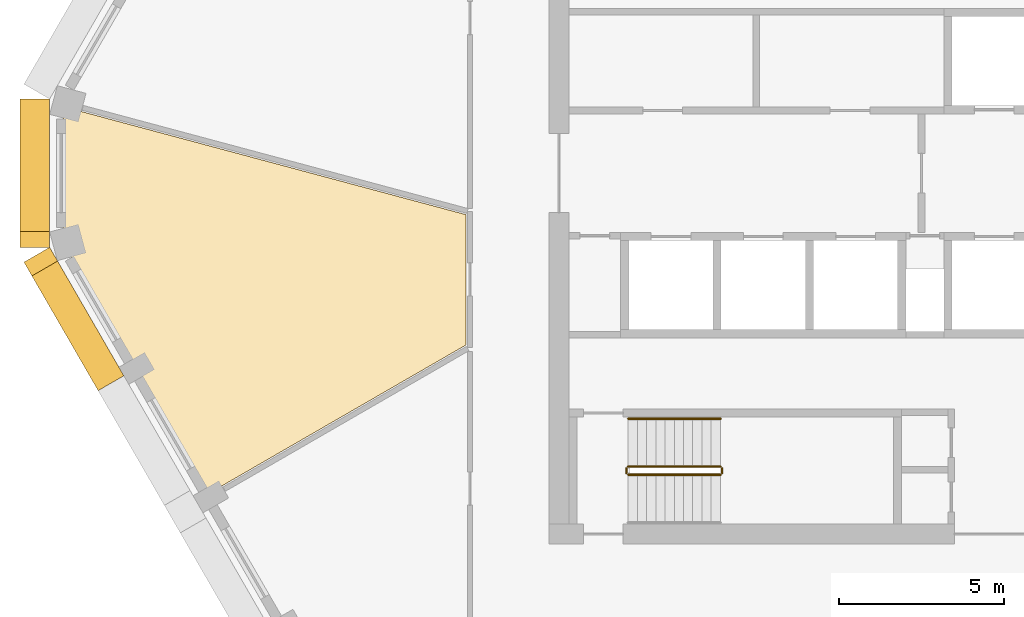
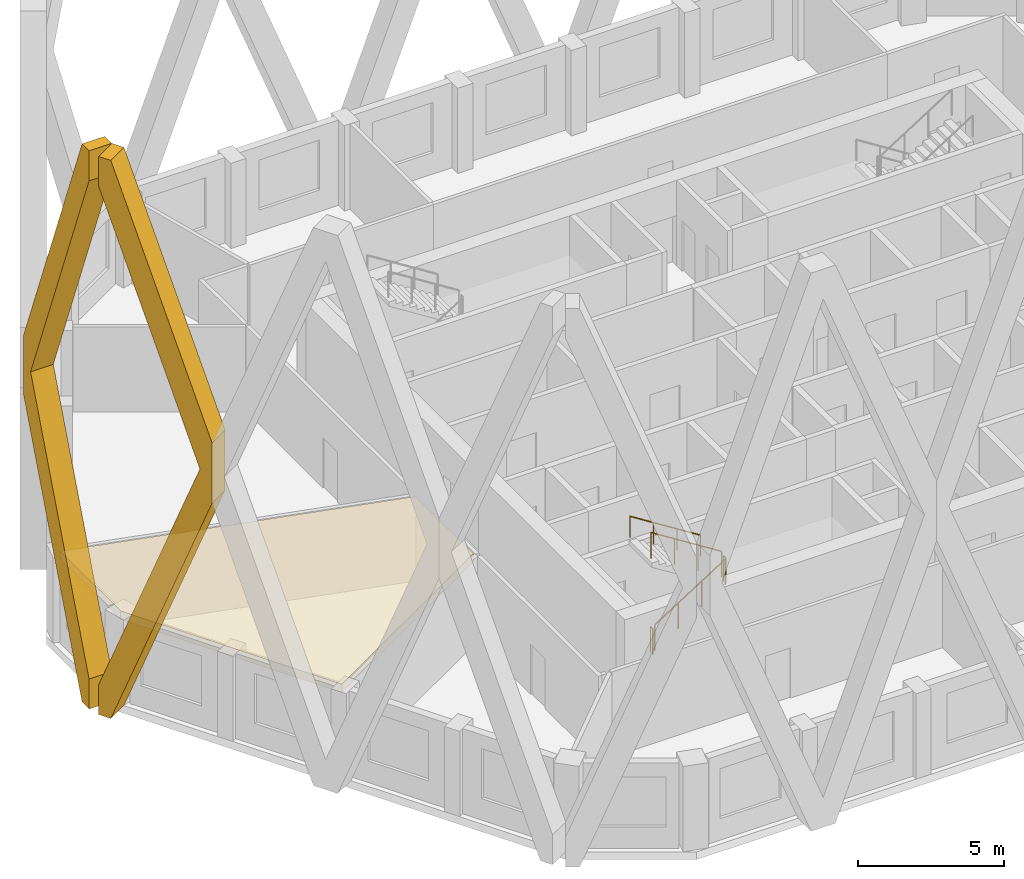
# One storey, part 9 of 14: 5 railings, 3 coverings.
"""IFC4 building model written with IfcOpenShell, lengths in metres."""

import ifcopenshell
import ifcopenshell.guid

model = None  # the IFC model being written
_history = None  # IfcOwnerHistory: only IFC2X3 demands one
_inside = {}  # id of a spatial element -> (the spatial element, [elements in it])
_under = {}  # id of a project, library or spatial element -> (it, [spatial elements below it])
_declared = {}  # id of a project -> (the project, [libraries it declares])
_typed = {}  # id of a type object -> (the type object, [elements of that type])
_made_of = {}  # id of a material, layer set ... -> (it, [elements and type objects made of it])


def new_model(schema):
    """Start an empty IFC model of exactly this schema.

    Asked for "IFC4X3", IfcOpenShell would pick the latest addendum, in which some entities
    have other attributes; the version numbers below select the first issue.
    IFC2X3 requires an IfcOwnerHistory on every rooted entity: one is made here for all.
    """
    global model, _history
    if schema == "IFC4X3":
        model = ifcopenshell.file(schema_version=(4, 3, 0, 0))
    else:
        model = ifcopenshell.file(schema=schema)
    _inside.clear()
    _under.clear()
    _declared.clear()
    _typed.clear()
    _made_of.clear()
    _history = None
    if model.schema == "IFC2X3":
        org = make("IfcOrganization", Name="unknown")
        user = make(
            "IfcPersonAndOrganization",
            ThePerson=make("IfcPerson", FamilyName="unknown"),
            TheOrganization=org,
        )
        app = make(
            "IfcApplication",
            ApplicationDeveloper=org,
            Version="unknown",
            ApplicationFullName="unknown",
            ApplicationIdentifier="unknown",
        )
        _history = make(
            "IfcOwnerHistory",
            OwningUser=user,
            OwningApplication=app,
            ChangeAction="ADDED",
            CreationDate=0,
        )
    return model


def make(cls, **values):
    """One entity of the class cls with the attributes given. An attribute that is None is left unset."""
    return model.create_entity(
        cls, **{name: value for name, value in values.items() if value is not None}
    )


def rooted(cls, **values):
    """An entity with a GlobalId (a new one), such as an element, a storey or a relation."""
    return make(cls, GlobalId=ifcopenshell.guid.new(), OwnerHistory=_history, **values)


def si_unit(unit_type, name, prefix=None):
    """IfcSIUnit, for example si_unit("LENGTHUNIT", "METRE", prefix="MILLI")."""
    return make("IfcSIUnit", UnitType=unit_type, Prefix=prefix, Name=name)


def assignment(units):
    """IfcUnitAssignment: the units of a project."""
    return None if units is None else make("IfcUnitAssignment", Units=units)


def point(xyz):
    """IfcCartesianPoint."""
    return None if xyz is None else make("IfcCartesianPoint", Coordinates=xyz)


def direction(xyz):
    """IfcDirection."""
    return None if xyz is None else make("IfcDirection", DirectionRatios=xyz)


def frame(location, z_axis=None, x_axis=None):
    """IfcAxis2Placement3D, a coordinate frame: its origin and axes. An axis left out is left unset."""
    return make(
        "IfcAxis2Placement3D",
        Location=point(location),
        Axis=direction(z_axis),
        RefDirection=direction(x_axis),
    )


def frame_2d(location, x_axis=None):
    """IfcAxis2Placement2D, a coordinate frame in the plane: its origin and x axis."""
    return make(
        "IfcAxis2Placement2D", Location=point(location), RefDirection=direction(x_axis)
    )


def origin():
    """The frame at (0, 0, 0) with its axes left unset."""
    return frame((0.0, 0.0, 0.0))


def origin_2d():
    """The frame at (0, 0) in the plane with its x axis left unset."""
    return frame_2d((0.0, 0.0))


def place(relative_to, where):
    """IfcLocalPlacement: puts the frame where relative to a parent placement (None: the world)."""
    return make(
        "IfcLocalPlacement", PlacementRelTo=relative_to, RelativePlacement=where
    )


def context(
    kind, dimensions, precision=None, world=None, true_north=None, identifier=None
):
    """IfcGeometricRepresentationContext, for example the 3D "Model" context."""
    return make(
        "IfcGeometricRepresentationContext",
        ContextIdentifier=identifier,
        ContextType=kind,
        CoordinateSpaceDimension=dimensions,
        Precision=precision,
        WorldCoordinateSystem=world,
        TrueNorth=true_north,
    )


def subcontext(parent, identifier, kind, view, scale=None):
    """IfcGeometricRepresentationSubContext, for example "Body" below "Model"."""
    return make(
        "IfcGeometricRepresentationSubContext",
        ContextIdentifier=identifier,
        ContextType=kind,
        ParentContext=parent,
        TargetScale=scale,
        TargetView=view,
    )


def project(units=None, contexts=None):
    """IfcProject with its units and contexts."""
    return rooted(
        "IfcProject",
        Name="project",
        RepresentationContexts=contexts,
        UnitsInContext=assignment(units),
    )


def spatial(cls, under=None, at=None, **own):
    """A site, building, storey or space (cls), placed at a placement, below another one or the project."""
    s = rooted(cls, ObjectPlacement=at, **own)
    if under is not None:
        _under.setdefault(under.id(), (under, []))[1].append(s)
    return s


def polyline(points):
    """IfcPolyline through the points."""
    return make("IfcPolyline", Points=[point(p) for p in points])


def profile(cls, at=None, kind="AREA", **sizes):
    """A parametric profile (cls). Its sizes go by their IFC names, for example OverallWidth=200.0."""
    return make(cls, ProfileType=kind, Position=at, **sizes)


def circle(**sizes):
    """IfcCircleProfileDef."""
    return profile("IfcCircleProfileDef", **sizes)


def outline(outer, holes=None, kind="AREA"):
    """IfcArbitraryClosedProfileDef: a profile drawn as a closed curve; with holes, ...WithVoids."""
    if holes is None:
        return make("IfcArbitraryClosedProfileDef", ProfileType=kind, OuterCurve=outer)
    return make(
        "IfcArbitraryProfileDefWithVoids",
        ProfileType=kind,
        OuterCurve=outer,
        InnerCurves=holes,
    )


def extrude(swept, where, along, depth):
    """IfcExtrudedAreaSolid: the profile swept, set in the frame where, extruded along a direction by depth."""
    return make(
        "IfcExtrudedAreaSolid",
        SweptArea=swept,
        Position=where,
        ExtrudedDirection=direction(along),
        Depth=depth,
    )


def shape(context_of_items, identifier, shape_type, items):
    """IfcShapeRepresentation: the items that make up one representation, for example the "Body"."""
    return make(
        "IfcShapeRepresentation",
        ContextOfItems=context_of_items,
        RepresentationIdentifier=identifier,
        RepresentationType=shape_type,
        Items=items,
    )


def material(Name=None, Category=None):
    """IfcMaterial."""
    return make("IfcMaterial", Name=Name, Category=Category)


def layer(
    of_material, thickness, ventilated=None, Name=None, Category=None, Priority=None
):
    """IfcMaterialLayer: one layer of a wall or slab, of a material (None: an air gap)."""
    return make(
        "IfcMaterialLayer",
        Material=of_material,
        LayerThickness=thickness,
        IsVentilated=ventilated,
        Name=Name,
        Category=Category,
        Priority=Priority,
    )


def layer_set(layers, Name=None):
    """IfcMaterialLayerSet."""
    return make("IfcMaterialLayerSet", MaterialLayers=layers, LayerSetName=Name)


def made_of(thing, what):
    """Note that an element or type object is made of a material, layer set ...; save() writes the relation."""
    if what is not None:
        _made_of.setdefault(what.id(), (what, []))[1].append(thing)
    return thing


def type_object(cls, material=None, **own):
    """A type object (cls), such as IfcWallType, which elements share."""
    return made_of(rooted(cls, **own), material)


def element(
    cls,
    number,
    at=None,
    inside=None,
    cuts=None,
    type_object=None,
    material=None,
    context=None,
    identifier="Body",
    shape_type=None,
    held_by="IfcProductDefinitionShape",
    body=None,
    shapes=None,
    **own,
):
    """One element of the class cls, such as IfcWall. Its Tag is "e" and its number.

    at: its placement. inside: the storey or other place that contains it. cuts: it is an
    opening in that element (IfcRelVoidsElement). A single representation is given by context,
    identifier, shape_type and body (its items); several are given by shapes. held_by: the class
    of the entity that holds the representations. save() writes the other relations.
    """
    e = rooted(cls, Tag="e%d" % number, ObjectPlacement=at, **own)
    if body is not None:
        shapes = [shape(context, identifier, shape_type, body)]
    if shapes is not None:
        e.Representation = make(held_by, Representations=shapes)
    if inside is not None:
        _inside.setdefault(inside.id(), (inside, []))[1].append(e)
    if cuts is not None:
        rooted(
            "IfcRelVoidsElement", RelatingBuildingElement=cuts, RelatedOpeningElement=e
        )
    if type_object is not None:
        _typed.setdefault(type_object.id(), (type_object, []))[1].append(e)
    return made_of(e, material)


def aggregate(whole, parts):
    """IfcRelAggregates: a whole, such as a stair, and the parts it consists of."""
    return rooted("IfcRelAggregates", RelatingObject=whole, RelatedObjects=parts)


def save(model, path):
    """Write the relations noted so far, then the file.

    IfcRelAggregates (storeys below a building ...), IfcRelContainedInSpatialStructure (elements
    in a storey), IfcRelDefinesByType, IfcRelAssociatesMaterial and IfcRelDeclares: one each for
    every whole, place, type object, material and project.
    """
    for whole, parts in _under.values():
        aggregate(whole, parts)
    for where, things in _inside.values():
        rooted(
            "IfcRelContainedInSpatialStructure",
            RelatedElements=things,
            RelatingStructure=where,
        )
    for kind, things in _typed.values():
        rooted("IfcRelDefinesByType", RelatedObjects=things, RelatingType=kind)
    for what, things in _made_of.values():
        rooted("IfcRelAssociatesMaterial", RelatedObjects=things, RelatingMaterial=what)
    for by, libraries in _declared.values():
        rooted("IfcRelDeclares", RelatingContext=by, RelatedDefinitions=libraries)
    model.write(path)


model = new_model("IFC4")

# Units and contexts
model_context = context("Model", 3, precision=1e-05, world=origin(), true_north=direction((0.0, 1.0)))
body_context = subcontext(model_context, "Body", "Model", "MODEL_VIEW")
ifc_project = project(units=[si_unit("LENGTHUNIT", "METRE"), si_unit("AREAUNIT", "SQUARE_METRE"), si_unit("VOLUMEUNIT", "CUBIC_METRE"), si_unit("PLANEANGLEUNIT", "RADIAN"), si_unit("MASSUNIT", "GRAM", prefix="KILO")], contexts=[model_context])

# Site, building, storey
site_placement = place(None, origin())
site = spatial("IfcSite", under=ifc_project, at=site_placement, CompositionType="ELEMENT")
building_placement = place(site_placement, origin())
building = spatial("IfcBuilding", under=site, at=building_placement, Name="Dhurran Vertical Campus", CompositionType="ELEMENT")
storey_placement = place(building_placement, frame((0.0, 0.0, 286.5)))
storey = spatial("IfcBuildingStorey", under=building, at=storey_placement, Name="L71", CompositionType="ELEMENT", Elevation=286.5)

# Coverings
ifc_material_1 = material(Name="Precast concrete C50/60", Category="concrete")
covering_type_1 = type_object("IfcCoveringType", Name="Folded precast fin lattice diamond", PredefinedType="USERDEFINED", material=ifc_material_1)
covering_1_placement = place(storey_placement, frame((-28.647216796875, 2.25, 0.0), z_axis=(-1.0, 0.0, 0.0), x_axis=(0.0, -1.0, 0.0)))
element("IfcCovering", 1, at=covering_1_placement, inside=storey, type_object=covering_type_1, Name="FN1 L71.020", ObjectType="FIN", PredefinedType="USERDEFINED", context=body_context, shape_type="SweptSolid", body=[
    extrude(outline(polyline([(4.017822265625, 0.0), (0.0, 10.4462890625), (0.0, 12.95361328125), (4.017822265625, 23.39990234375), (4.5, 23.39990234375), (4.5, 22.146484375), (0.482177734375, 11.699951171875), (4.5, 1.253662109375), (4.5, 0.0), (4.017822265625, 0.0)])), origin(), (0.0, 0.0, 1.0), 0.89990234375),
])
covering_2_placement = place(storey_placement, frame((-28.647216796875, -2.25, 0.0), z_axis=(-0.866013897511, -0.50001992892, 0.0), x_axis=(0.50001992892, -0.866013897511, 0.0)))
element("IfcCovering", 2, at=covering_2_placement, inside=storey, type_object=covering_type_1, Name="FN1 L71.021", ObjectType="FIN", PredefinedType="USERDEFINED", context=body_context, shape_type="SweptSolid", body=[
    extrude(outline(polyline([(4.5, 10.4462890625), (0.482177734375, 0.0), (0.0, 0.0), (0.0, 1.253662109375), (4.017822265625, 11.699951171875), (0.0, 22.146484375), (0.0, 23.39990234375), (0.482177734375, 23.39990234375), (4.5, 12.95361328125), (4.5, 10.4462890625)])), origin(), (0.0, 0.0, 1.0), 0.89990234375),
])

# Railings
ifc_material_2 = material(Name="Stainless steel balustrade", Category="steel")
railing_type_1 = type_object("IfcRailingType", Name="co-RL-GUARD-1100", PredefinedType="GUARDRAIL", material=ifc_material_2)
railing_1_placement = place(storey_placement, frame((-11.10009765625, -9.14990234375, 0.17724609375)))
element("IfcRailing", 3, at=railing_1_placement, inside=storey, type_object=railing_type_1, Name="L71 ST3 stair guard 1", PredefinedType="GUARDRAIL", context=body_context, shape_type="SweptSolid", body=[
    extrude(circle(Radius=0.02392578125, at=origin_2d()), frame((0.0, 0.0, 1.076171875), z_axis=(0.844908973607, 0.0, 0.534910110503), x_axis=(0.0, 1.0, 0.0)), (0.0, 0.0, 1.0), 3.31396484375),
    extrude(circle(Radius=0.02099609375, at=origin_2d()), origin(), (0.0, 0.0, 1.0), 1.052001953125),
    extrude(circle(Radius=0.02099609375, at=origin_2d()), frame((0.933349609375, 0.0, 0.5908203125)), (0.0, 0.0, 1.0), 1.052001953125),
    extrude(circle(Radius=0.02099609375, at=origin_2d()), frame((1.86669921875, 0.0, 1.181884765625)), (0.0, 0.0, 1.0), 1.052001953125),
    extrude(circle(Radius=0.02099609375, at=origin_2d()), frame((2.800048828125, 0.0, 1.772705078125)), (0.0, 0.0, 1.0), 1.052001953125),
])
railing_2_placement = place(storey_placement, frame((-8.25, -9.10009765625, 1.949951171875)))
element("IfcRailing", 4, at=railing_2_placement, inside=storey, type_object=railing_type_1, Name="L71 ST3 stair guard 2", PredefinedType="GUARDRAIL", context=body_context, shape_type="SweptSolid", body=[
    extrude(circle(Radius=0.02392578125, at=origin_2d()), frame((0.0, 0.0, 1.076171875), z_axis=(0.0, 1.0, 0.0), x_axis=(-1.0, 0.0, 0.0)), (0.0, 0.0, 1.0), 0.150146484375),
    extrude(circle(Radius=0.02099609375, at=origin_2d()), origin(), (0.0, 0.0, 1.0), 1.052001953125),
    extrude(circle(Radius=0.02099609375, at=origin_2d()), frame((0.0, 0.150146484375, 0.0)), (0.0, 0.0, 1.0), 1.052001953125),
])
railing_3_placement = place(storey_placement, frame((-8.300048828125, -8.89990234375, 2.127197265625)))
element("IfcRailing", 5, at=railing_3_placement, inside=storey, type_object=railing_type_1, Name="L71 ST3 stair guard 3", PredefinedType="GUARDRAIL", context=body_context, shape_type="SweptSolid", body=[
    extrude(circle(Radius=0.02392578125, at=origin_2d()), frame((0.0, 0.0, 1.076171875), z_axis=(-0.844908973607, 0.0, 0.534910110503), x_axis=(0.0, -1.0, 0.0)), (0.0, 0.0, 1.0), 3.31396484375),
    extrude(circle(Radius=0.02099609375, at=origin_2d()), origin(), (0.0, 0.0, 1.0), 1.052001953125),
    extrude(circle(Radius=0.02099609375, at=origin_2d()), frame((-0.933349609375, 0.0, 0.5908203125)), (0.0, 0.0, 1.0), 1.052001953125),
    extrude(circle(Radius=0.02099609375, at=origin_2d()), frame((-1.86669921875, 0.0, 1.181884765625)), (0.0, 0.0, 1.0), 1.052001953125),
    extrude(circle(Radius=0.02099609375, at=origin_2d()), frame((-2.800048828125, 0.0, 1.772705078125)), (0.0, 0.0, 1.0), 1.052001953125),
])
railing_4_placement = place(storey_placement, frame((-11.14990234375, -9.10009765625, 0.0)))
element("IfcRailing", 6, at=railing_4_placement, inside=storey, type_object=railing_type_1, Name="L71 ST3 stair guard 4", PredefinedType="GUARDRAIL", context=body_context, shape_type="SweptSolid", body=[
    extrude(circle(Radius=0.02392578125, at=origin_2d()), frame((0.0, 0.0, 1.076171875), z_axis=(0.0, 1.0, 0.0), x_axis=(-1.0, 0.0, 0.0)), (0.0, 0.0, 1.0), 0.150146484375),
    extrude(circle(Radius=0.02099609375, at=origin_2d()), origin(), (0.0, 0.0, 1.0), 1.052001953125),
    extrude(circle(Radius=0.02099609375, at=origin_2d()), frame((0.0, 0.150146484375, 0.0)), (0.0, 0.0, 1.0), 1.052001953125),
])
ifc_material_3 = material(Name="Stainless steel handrail", Category="steel")
railing_type_2 = type_object("IfcRailingType", Name="co-RL-HANDRAIL-900", PredefinedType="HANDRAIL", material=ifc_material_3)
railing_5_placement = place(storey_placement, frame((-8.300048828125, -7.449951171875, 2.127197265625)))
element("IfcRailing", 7, at=railing_5_placement, inside=storey, type_object=railing_type_2, Name="L71 ST3 stair handrail 2", PredefinedType="HANDRAIL", context=body_context, shape_type="SweptSolid", body=[
    extrude(circle(Radius=0.02392578125, at=origin_2d()), frame((0.0, 0.0, 0.8759765625), z_axis=(-0.844908973607, 0.0, 0.534910110503), x_axis=(0.0, -1.0, 0.0)), (0.0, 0.0, 1.0), 3.31396484375),
    extrude(circle(Radius=0.02099609375, at=origin_2d()), origin(), (0.0, 0.0, 1.0), 0.851806640625),
    extrude(circle(Radius=0.02099609375, at=origin_2d()), frame((-0.933349609375, 0.0, 0.5908203125)), (0.0, 0.0, 1.0), 0.851806640625),
    extrude(circle(Radius=0.02099609375, at=origin_2d()), frame((-1.86669921875, 0.0, 1.181884765625)), (0.0, 0.0, 1.0), 0.851806640625),
    extrude(circle(Radius=0.02099609375, at=origin_2d()), frame((-2.800048828125, 0.0, 1.772705078125)), (0.0, 0.0, 1.0), 0.851806640625),
])

# Covering
ifc_material_4 = material(Name="Mineral fibre ceiling tiles on suspended grid")
ifc_layer = layer(ifc_material_4, 0.35009765625)
ifc_layer_set = layer_set([ifc_layer], Name="Mineral fibre ceiling tiles on suspended grid")
covering_type_2 = type_object("IfcCoveringType", Name="fl-CE-350 suspended ceiling", PredefinedType="CEILING", material=ifc_layer_set)
covering_3_placement = place(storey_placement, frame((0.0, 0.0, 3.22509765625)))
element("IfcCovering", 8, at=covering_3_placement, inside=storey, type_object=covering_type_2, Name="Ceiling 71-02", PredefinedType="CEILING", context=body_context, shape_type="SweptSolid", body=[
    extrude(outline(polyline([(-23.843017578125, -9.72998046875), (-28.22705078125, -2.137939453125), (-28.22705078125, 2.013916015625), (-16.02001953125, -1.258056640625), (-16.02001953125, -5.214111328125), (-23.843017578125, -9.72998046875)])), origin(), (0.0, 0.0, 1.0), 0.349853515625),
])

save(model, "model.ifc")
